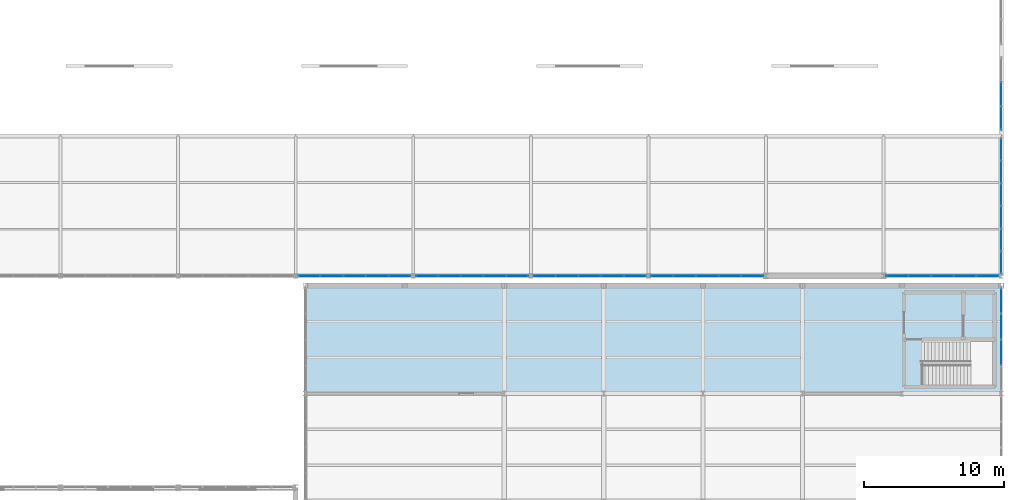
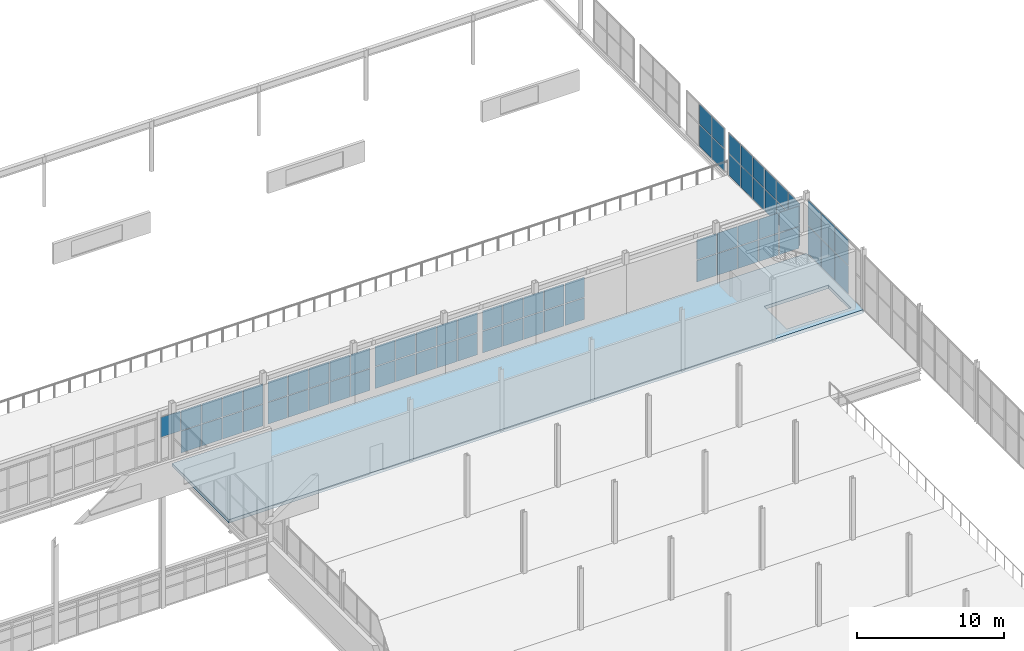
# One storey, part 190 of 218: 71 plates, 1 slab, 8 elements without a shape of their own.
"""IFC4 building model written with IfcOpenShell, lengths in metres."""

from ifc_helpers import new_model, si_unit, direction, frame, origin, origin_2d, place, context, subcontext, project, spatial, polyline, rectangle, outline, extrude, material, layer, layer_set, type_object, element, aggregate, save


model = new_model("IFC4")

# Units and contexts
model_context = context("Model", 3, precision=1e-05, world=origin(), true_north=direction((0.0, 1.0)))
body_context = subcontext(model_context, "Body", "Model", "MODEL_VIEW")
ifc_project = project(units=[si_unit("LENGTHUNIT", "METRE"), si_unit("AREAUNIT", "SQUARE_METRE"), si_unit("VOLUMEUNIT", "CUBIC_METRE"), si_unit("PLANEANGLEUNIT", "RADIAN"), si_unit("MASSUNIT", "GRAM", prefix="KILO")], contexts=[model_context])

# Site, building, storey
site_placement = place(None, origin())
site = spatial("IfcSite", under=ifc_project, at=site_placement, CompositionType="ELEMENT")
building_placement = place(site_placement, origin())
building = spatial("IfcBuilding", under=site, at=building_placement, Name="Kazenagashi Tramway Depot", CompositionType="ELEMENT")
storey_placement = place(building_placement, frame((0.0, 0.0, 6.0)))
storey = spatial("IfcBuildingStorey", under=building, at=storey_placement, Name="L02", CompositionType="ELEMENT", Elevation=6.0)

# Curtain wall, plates
ifc_material_1 = material(Name="Anodised Aluminium and Low-E Glazing", Category="aluminium")
curtain_wall_type_1 = type_object("IfcCurtainWallType", Name="CW-11", PredefinedType="USERDEFINED", material=ifc_material_1)
curtain_wall_1_placement = place(storey_placement, origin())
curtain_wall_1 = element("IfcCurtainWall", 1, at=curtain_wall_1_placement, inside=storey, type_object=curtain_wall_type_1, Name="Industrial Glazed Screen CW-11 CW-0049", ObjectType="GLAZED SCREEN", PredefinedType="USERDEFINED")
ifc_material_2 = material(Name="Tempered Laminated Low-E Glass", Category="glass")
ifc_layer_1 = layer(ifc_material_2, 0.016)
ifc_layer_set_1 = layer_set([ifc_layer_1], Name="Tempered Laminated Low-E Glass")
plate_type_1 = type_object("IfcPlateType", Name="GL-01", PredefinedType="CURTAIN_PANEL", material=ifc_layer_set_1)
plate_1_placement = place(storey_placement, frame((163.367, 70.0, 0.06), z_axis=(0.0, 0.0, 1.0), x_axis=(1.0, 0.0, 0.0)))
plate_1 = element("IfcPlate", 2, at=plate_1_placement, type_object=plate_type_1, Name="CW-11 panel 1.1", PredefinedType="CURTAIN_PANEL", context=body_context, shape_type="SweptSolid", body=[
    extrude(rectangle(XDim=1.534, YDim=0.016, at=origin_2d()), origin(), (0.0, 0.0, 1.0), 1.788),
])
plate_2_placement = place(storey_placement, frame((163.367, 70.0, 1.908), z_axis=(0.0, 0.0, 1.0), x_axis=(1.0, 0.0, 0.0)))
plate_2 = element("IfcPlate", 3, at=plate_2_placement, type_object=plate_type_1, Name="CW-11 panel 1.2", PredefinedType="CURTAIN_PANEL", context=body_context, shape_type="SweptSolid", body=[
    extrude(rectangle(XDim=1.534, YDim=0.016, at=origin_2d()), origin(), (0.0, 0.0, 1.0), 1.644),
])
plate_3_placement = place(storey_placement, frame((164.976, 70.0, 0.06), z_axis=(0.0, 0.0, 1.0), x_axis=(1.0, 0.0, 0.0)))
plate_3 = element("IfcPlate", 4, at=plate_3_placement, type_object=plate_type_1, Name="CW-11 panel 2.1", PredefinedType="CURTAIN_PANEL", context=body_context, shape_type="SweptSolid", body=[
    extrude(rectangle(XDim=1.564, YDim=0.016, at=origin_2d()), origin(), (0.0, 0.0, 1.0), 1.788),
])
plate_4_placement = place(storey_placement, frame((164.976, 70.0, 1.908), z_axis=(0.0, 0.0, 1.0), x_axis=(1.0, 0.0, 0.0)))
plate_4 = element("IfcPlate", 5, at=plate_4_placement, type_object=plate_type_1, Name="CW-11 panel 2.2", PredefinedType="CURTAIN_PANEL", context=body_context, shape_type="SweptSolid", body=[
    extrude(rectangle(XDim=1.564, YDim=0.016, at=origin_2d()), origin(), (0.0, 0.0, 1.0), 1.644),
])
plate_5_placement = place(storey_placement, frame((166.6, 70.0, 0.06), z_axis=(0.0, 0.0, 1.0), x_axis=(1.0, 0.0, 0.0)))
plate_5 = element("IfcPlate", 6, at=plate_5_placement, type_object=plate_type_1, Name="CW-11 panel 3.1", PredefinedType="CURTAIN_PANEL", context=body_context, shape_type="SweptSolid", body=[
    extrude(rectangle(XDim=1.564, YDim=0.016, at=origin_2d()), origin(), (0.0, 0.0, 1.0), 1.788),
])
plate_6_placement = place(storey_placement, frame((166.6, 70.0, 1.908), z_axis=(0.0, 0.0, 1.0), x_axis=(1.0, 0.0, 0.0)))
plate_6 = element("IfcPlate", 7, at=plate_6_placement, type_object=plate_type_1, Name="CW-11 panel 3.2", PredefinedType="CURTAIN_PANEL", context=body_context, shape_type="SweptSolid", body=[
    extrude(rectangle(XDim=1.564, YDim=0.016, at=origin_2d()), origin(), (0.0, 0.0, 1.0), 1.644),
])
plate_7_placement = place(storey_placement, frame((168.224, 70.0, 0.06), z_axis=(0.0, 0.0, 1.0), x_axis=(1.0, 0.0, 0.0)))
plate_7 = element("IfcPlate", 8, at=plate_7_placement, type_object=plate_type_1, Name="CW-11 panel 4.1", PredefinedType="CURTAIN_PANEL", context=body_context, shape_type="SweptSolid", body=[
    extrude(rectangle(XDim=1.564, YDim=0.016, at=origin_2d()), origin(), (0.0, 0.0, 1.0), 1.788),
])
plate_8_placement = place(storey_placement, frame((168.224, 70.0, 1.908), z_axis=(0.0, 0.0, 1.0), x_axis=(1.0, 0.0, 0.0)))
plate_8 = element("IfcPlate", 9, at=plate_8_placement, type_object=plate_type_1, Name="CW-11 panel 4.2", PredefinedType="CURTAIN_PANEL", context=body_context, shape_type="SweptSolid", body=[
    extrude(rectangle(XDim=1.564, YDim=0.016, at=origin_2d()), origin(), (0.0, 0.0, 1.0), 1.644),
])
plate_9_placement = place(storey_placement, frame((169.833, 70.0, 0.06), z_axis=(0.0, 0.0, 1.0), x_axis=(1.0, 0.0, 0.0)))
plate_9 = element("IfcPlate", 10, at=plate_9_placement, type_object=plate_type_1, Name="CW-11 panel 5.1", PredefinedType="CURTAIN_PANEL", context=body_context, shape_type="SweptSolid", body=[
    extrude(rectangle(XDim=1.534, YDim=0.016, at=origin_2d()), origin(), (0.0, 0.0, 1.0), 1.788),
])
plate_10_placement = place(storey_placement, frame((169.833, 70.0, 1.908), z_axis=(0.0, 0.0, 1.0), x_axis=(1.0, 0.0, 0.0)))
plate_10 = element("IfcPlate", 11, at=plate_10_placement, type_object=plate_type_1, Name="CW-11 panel 5.2", PredefinedType="CURTAIN_PANEL", context=body_context, shape_type="SweptSolid", body=[
    extrude(rectangle(XDim=1.534, YDim=0.016, at=origin_2d()), origin(), (0.0, 0.0, 1.0), 1.644),
])
aggregate(curtain_wall_1, [plate_1, plate_2, plate_3, plate_4, plate_5, plate_6, plate_7, plate_8, plate_9, plate_10])

curtain_wall_type_2 = type_object("IfcCurtainWallType", Name="CW-02", PredefinedType="USERDEFINED", material=ifc_material_1)
curtain_wall_2_placement = place(storey_placement, origin())
curtain_wall_2 = element("IfcCurtainWall", 12, at=curtain_wall_2_placement, inside=storey, type_object=curtain_wall_type_2, Name="Industrial Glazed Screen CW-02 CW-0002", ObjectType="GLAZED SCREEN", PredefinedType="USERDEFINED")
ifc_layer_2 = layer(ifc_material_2, 0.018)
ifc_layer_set_2 = layer_set([ifc_layer_2], Name="Tempered Laminated Low-E Glass")
plate_type_2 = type_object("IfcPlateType", Name="GL-02", PredefinedType="CURTAIN_PANEL", material=ifc_layer_set_2)
plate_11_placement = place(storey_placement, frame((196.0, 70.965, 0.06), z_axis=(0.0, 0.0, 1.0), x_axis=(0.0, 1.0, 0.0)))
plate_11 = element("IfcPlate", 13, at=plate_11_placement, type_object=plate_type_2, Name="CW-02 panel 1.1", PredefinedType="CURTAIN_PANEL", context=body_context, shape_type="SweptSolid", body=[
    extrude(rectangle(XDim=1.53, YDim=0.018, at=origin_2d()), origin(), (0.0, 0.0, 1.0), 1.788),
])
plate_12_placement = place(storey_placement, frame((196.0, 70.965, 1.908), z_axis=(0.0, 0.0, 1.0), x_axis=(0.0, 1.0, 0.0)))
plate_12 = element("IfcPlate", 14, at=plate_12_placement, type_object=plate_type_2, Name="CW-02 panel 1.2", PredefinedType="CURTAIN_PANEL", context=body_context, shape_type="SweptSolid", body=[
    extrude(rectangle(XDim=1.53, YDim=0.018, at=origin_2d()), origin(), (0.0, 0.0, 1.0), 1.644),
])
plate_13_placement = place(storey_placement, frame((196.0, 72.57, 0.06), z_axis=(0.0, 0.0, 1.0), x_axis=(0.0, 1.0, 0.0)))
plate_13 = element("IfcPlate", 15, at=plate_13_placement, type_object=plate_type_2, Name="CW-02 panel 2.1", PredefinedType="CURTAIN_PANEL", context=body_context, shape_type="SweptSolid", body=[
    extrude(rectangle(XDim=1.56, YDim=0.018, at=origin_2d()), origin(), (0.0, 0.0, 1.0), 1.788),
])
plate_14_placement = place(storey_placement, frame((196.0, 72.57, 1.908), z_axis=(0.0, 0.0, 1.0), x_axis=(0.0, 1.0, 0.0)))
plate_14 = element("IfcPlate", 16, at=plate_14_placement, type_object=plate_type_2, Name="CW-02 panel 2.2", PredefinedType="CURTAIN_PANEL", context=body_context, shape_type="SweptSolid", body=[
    extrude(rectangle(XDim=1.56, YDim=0.018, at=origin_2d()), origin(), (0.0, 0.0, 1.0), 1.644),
])
plate_15_placement = place(storey_placement, frame((196.0, 74.19, 0.06), z_axis=(0.0, 0.0, 1.0), x_axis=(0.0, 1.0, 0.0)))
plate_15 = element("IfcPlate", 17, at=plate_15_placement, type_object=plate_type_2, Name="CW-02 panel 3.1", PredefinedType="CURTAIN_PANEL", context=body_context, shape_type="SweptSolid", body=[
    extrude(rectangle(XDim=1.56, YDim=0.018, at=origin_2d()), origin(), (0.0, 0.0, 1.0), 1.788),
])
plate_16_placement = place(storey_placement, frame((196.0, 74.19, 1.908), z_axis=(0.0, 0.0, 1.0), x_axis=(0.0, 1.0, 0.0)))
plate_16 = element("IfcPlate", 18, at=plate_16_placement, type_object=plate_type_2, Name="CW-02 panel 3.2", PredefinedType="CURTAIN_PANEL", context=body_context, shape_type="SweptSolid", body=[
    extrude(rectangle(XDim=1.56, YDim=0.018, at=origin_2d()), origin(), (0.0, 0.0, 1.0), 1.644),
])
plate_17_placement = place(storey_placement, frame((196.0, 75.81, 0.06), z_axis=(0.0, 0.0, 1.0), x_axis=(0.0, 1.0, 0.0)))
plate_17 = element("IfcPlate", 19, at=plate_17_placement, type_object=plate_type_2, Name="CW-02 panel 4.1", PredefinedType="CURTAIN_PANEL", context=body_context, shape_type="SweptSolid", body=[
    extrude(rectangle(XDim=1.56, YDim=0.018, at=origin_2d()), origin(), (0.0, 0.0, 1.0), 1.788),
])
plate_18_placement = place(storey_placement, frame((196.0, 75.81, 1.908), z_axis=(0.0, 0.0, 1.0), x_axis=(0.0, 1.0, 0.0)))
plate_18 = element("IfcPlate", 20, at=plate_18_placement, type_object=plate_type_2, Name="CW-02 panel 4.2", PredefinedType="CURTAIN_PANEL", context=body_context, shape_type="SweptSolid", body=[
    extrude(rectangle(XDim=1.56, YDim=0.018, at=origin_2d()), origin(), (0.0, 0.0, 1.0), 1.644),
])
plate_19_placement = place(storey_placement, frame((196.0, 77.43, 0.06), z_axis=(0.0, 0.0, 1.0), x_axis=(0.0, 1.0, 0.0)))
plate_19 = element("IfcPlate", 21, at=plate_19_placement, type_object=plate_type_2, Name="CW-02 panel 5.1", PredefinedType="CURTAIN_PANEL", context=body_context, shape_type="SweptSolid", body=[
    extrude(rectangle(XDim=1.56, YDim=0.018, at=origin_2d()), origin(), (0.0, 0.0, 1.0), 1.788),
])
plate_20_placement = place(storey_placement, frame((196.0, 77.43, 1.908), z_axis=(0.0, 0.0, 1.0), x_axis=(0.0, 1.0, 0.0)))
plate_20 = element("IfcPlate", 22, at=plate_20_placement, type_object=plate_type_2, Name="CW-02 panel 5.2", PredefinedType="CURTAIN_PANEL", context=body_context, shape_type="SweptSolid", body=[
    extrude(rectangle(XDim=1.56, YDim=0.018, at=origin_2d()), origin(), (0.0, 0.0, 1.0), 1.644),
])
plate_21_placement = place(storey_placement, frame((196.0, 79.035, 0.06), z_axis=(0.0, 0.0, 1.0), x_axis=(0.0, 1.0, 0.0)))
plate_21 = element("IfcPlate", 23, at=plate_21_placement, type_object=plate_type_2, Name="CW-02 panel 6.1", PredefinedType="CURTAIN_PANEL", context=body_context, shape_type="SweptSolid", body=[
    extrude(rectangle(XDim=1.53, YDim=0.018, at=origin_2d()), origin(), (0.0, 0.0, 1.0), 1.788),
])
plate_22_placement = place(storey_placement, frame((196.0, 79.035, 1.908), z_axis=(0.0, 0.0, 1.0), x_axis=(0.0, 1.0, 0.0)))
plate_22 = element("IfcPlate", 24, at=plate_22_placement, type_object=plate_type_2, Name="CW-02 panel 6.2", PredefinedType="CURTAIN_PANEL", context=body_context, shape_type="SweptSolid", body=[
    extrude(rectangle(XDim=1.53, YDim=0.018, at=origin_2d()), origin(), (0.0, 0.0, 1.0), 1.644),
])
aggregate(curtain_wall_2, [plate_11, plate_12, plate_13, plate_14, plate_15, plate_16, plate_17, plate_18, plate_19, plate_20, plate_21, plate_22])

curtain_wall_type_3 = type_object("IfcCurtainWallType", Name="CW-04", PredefinedType="USERDEFINED", material=ifc_material_1)
curtain_wall_3_placement = place(storey_placement, origin())
curtain_wall_3 = element("IfcCurtainWall", 25, at=curtain_wall_3_placement, inside=storey, type_object=curtain_wall_type_3, Name="Industrial Glazed Screen CW-04 CW-0004", ObjectType="GLAZED SCREEN", PredefinedType="USERDEFINED")
ifc_layer_3 = layer(ifc_material_2, 0.022)
ifc_layer_set_3 = layer_set([ifc_layer_3], Name="Tempered Laminated Low-E Glass")
plate_type_3 = type_object("IfcPlateType", Name="GL-04", PredefinedType="CURTAIN_PANEL", material=ifc_layer_set_3)
plate_23_placement = place(storey_placement, frame((196.0, 81.281667, 0.04), z_axis=(0.0, 0.0, 1.0), x_axis=(0.0, 1.0, 0.0)))
plate_23 = element("IfcPlate", 26, at=plate_23_placement, type_object=plate_type_3, Name="CW-04 panel 1.1", PredefinedType="CURTAIN_PANEL", context=body_context, shape_type="SweptSolid", body=[
    extrude(rectangle(XDim=1.643333, YDim=0.022, at=origin_2d()), origin(), (0.0, 0.0, 1.0), 1.799),
])
plate_24_placement = place(storey_placement, frame((196.0, 81.281667, 1.899), z_axis=(0.0, 0.0, 1.0), x_axis=(0.0, 1.0, 0.0)))
plate_24 = element("IfcPlate", 27, at=plate_24_placement, type_object=plate_type_3, Name="CW-04 panel 1.2", PredefinedType="CURTAIN_PANEL", context=body_context, shape_type="SweptSolid", body=[
    extrude(rectangle(XDim=1.643333, YDim=0.022, at=origin_2d()), origin(), (0.0, 0.0, 1.0), 1.653),
])
plate_25_placement = place(storey_placement, frame((196.0, 83.0, 0.04), z_axis=(0.0, 0.0, 1.0), x_axis=(0.0, 1.0, 0.0)))
plate_25 = element("IfcPlate", 28, at=plate_25_placement, type_object=plate_type_3, Name="CW-04 panel 2.1", PredefinedType="CURTAIN_PANEL", context=body_context, shape_type="SweptSolid", body=[
    extrude(rectangle(XDim=1.673333, YDim=0.022, at=origin_2d()), origin(), (0.0, 0.0, 1.0), 1.799),
])
plate_26_placement = place(storey_placement, frame((196.0, 83.0, 1.899), z_axis=(0.0, 0.0, 1.0), x_axis=(0.0, 1.0, 0.0)))
plate_26 = element("IfcPlate", 29, at=plate_26_placement, type_object=plate_type_3, Name="CW-04 panel 2.2", PredefinedType="CURTAIN_PANEL", context=body_context, shape_type="SweptSolid", body=[
    extrude(rectangle(XDim=1.673333, YDim=0.022, at=origin_2d()), origin(), (0.0, 0.0, 1.0), 1.653),
])
aggregate(curtain_wall_3, [plate_23, plate_24, plate_25, plate_26])

curtain_wall_4_placement = place(storey_placement, origin())
curtain_wall_4 = element("IfcCurtainWall", 30, at=curtain_wall_4_placement, inside=storey, type_object=curtain_wall_type_1, Name="Industrial Glazed Screen CW-11 CW-0052", ObjectType="GLAZED SCREEN", PredefinedType="USERDEFINED")
plate_27_placement = place(storey_placement, frame((171.767, 70.0, 0.06), z_axis=(0.0, 0.0, 1.0), x_axis=(1.0, 0.0, 0.0)))
plate_27 = element("IfcPlate", 31, at=plate_27_placement, type_object=plate_type_3, Name="CW-11 panel 1.1", PredefinedType="CURTAIN_PANEL", context=body_context, shape_type="SweptSolid", body=[
    extrude(rectangle(XDim=1.534, YDim=0.022, at=origin_2d()), origin(), (0.0, 0.0, 1.0), 1.788),
])
plate_28_placement = place(storey_placement, frame((171.767, 70.0, 1.908), z_axis=(0.0, 0.0, 1.0), x_axis=(1.0, 0.0, 0.0)))
plate_28 = element("IfcPlate", 32, at=plate_28_placement, type_object=plate_type_3, Name="CW-11 panel 1.2", PredefinedType="CURTAIN_PANEL", context=body_context, shape_type="SweptSolid", body=[
    extrude(rectangle(XDim=1.534, YDim=0.022, at=origin_2d()), origin(), (0.0, 0.0, 1.0), 1.644),
])
plate_29_placement = place(storey_placement, frame((173.376, 70.0, 0.06), z_axis=(0.0, 0.0, 1.0), x_axis=(1.0, 0.0, 0.0)))
plate_29 = element("IfcPlate", 33, at=plate_29_placement, type_object=plate_type_3, Name="CW-11 panel 2.1", PredefinedType="CURTAIN_PANEL", context=body_context, shape_type="SweptSolid", body=[
    extrude(rectangle(XDim=1.564, YDim=0.022, at=origin_2d()), origin(), (0.0, 0.0, 1.0), 1.788),
])
plate_30_placement = place(storey_placement, frame((173.376, 70.0, 1.908), z_axis=(0.0, 0.0, 1.0), x_axis=(1.0, 0.0, 0.0)))
plate_30 = element("IfcPlate", 34, at=plate_30_placement, type_object=plate_type_3, Name="CW-11 panel 2.2", PredefinedType="CURTAIN_PANEL", context=body_context, shape_type="SweptSolid", body=[
    extrude(rectangle(XDim=1.564, YDim=0.022, at=origin_2d()), origin(), (0.0, 0.0, 1.0), 1.644),
])
plate_31_placement = place(storey_placement, frame((175.0, 70.0, 0.06), z_axis=(0.0, 0.0, 1.0), x_axis=(1.0, 0.0, 0.0)))
plate_31 = element("IfcPlate", 35, at=plate_31_placement, type_object=plate_type_3, Name="CW-11 panel 3.1", PredefinedType="CURTAIN_PANEL", context=body_context, shape_type="SweptSolid", body=[
    extrude(rectangle(XDim=1.564, YDim=0.022, at=origin_2d()), origin(), (0.0, 0.0, 1.0), 1.788),
])
plate_32_placement = place(storey_placement, frame((175.0, 70.0, 1.908), z_axis=(0.0, 0.0, 1.0), x_axis=(1.0, 0.0, 0.0)))
plate_32 = element("IfcPlate", 36, at=plate_32_placement, type_object=plate_type_3, Name="CW-11 panel 3.2", PredefinedType="CURTAIN_PANEL", context=body_context, shape_type="SweptSolid", body=[
    extrude(rectangle(XDim=1.564, YDim=0.022, at=origin_2d()), origin(), (0.0, 0.0, 1.0), 1.644),
])
plate_33_placement = place(storey_placement, frame((176.624, 70.0, 0.06), z_axis=(0.0, 0.0, 1.0), x_axis=(1.0, 0.0, 0.0)))
plate_33 = element("IfcPlate", 37, at=plate_33_placement, type_object=plate_type_3, Name="CW-11 panel 4.1", PredefinedType="CURTAIN_PANEL", context=body_context, shape_type="SweptSolid", body=[
    extrude(rectangle(XDim=1.564, YDim=0.022, at=origin_2d()), origin(), (0.0, 0.0, 1.0), 1.788),
])
plate_34_placement = place(storey_placement, frame((176.624, 70.0, 1.908), z_axis=(0.0, 0.0, 1.0), x_axis=(1.0, 0.0, 0.0)))
plate_34 = element("IfcPlate", 38, at=plate_34_placement, type_object=plate_type_3, Name="CW-11 panel 4.2", PredefinedType="CURTAIN_PANEL", context=body_context, shape_type="SweptSolid", body=[
    extrude(rectangle(XDim=1.564, YDim=0.022, at=origin_2d()), origin(), (0.0, 0.0, 1.0), 1.644),
])
plate_35_placement = place(storey_placement, frame((178.233, 70.0, 0.06), z_axis=(0.0, 0.0, 1.0), x_axis=(1.0, 0.0, 0.0)))
plate_35 = element("IfcPlate", 39, at=plate_35_placement, type_object=plate_type_3, Name="CW-11 panel 5.1", PredefinedType="CURTAIN_PANEL", context=body_context, shape_type="SweptSolid", body=[
    extrude(rectangle(XDim=1.534, YDim=0.022, at=origin_2d()), origin(), (0.0, 0.0, 1.0), 1.788),
])
plate_36_placement = place(storey_placement, frame((178.233, 70.0, 1.908), z_axis=(0.0, 0.0, 1.0), x_axis=(1.0, 0.0, 0.0)))
plate_36 = element("IfcPlate", 40, at=plate_36_placement, type_object=plate_type_3, Name="CW-11 panel 5.2", PredefinedType="CURTAIN_PANEL", context=body_context, shape_type="SweptSolid", body=[
    extrude(rectangle(XDim=1.534, YDim=0.022, at=origin_2d()), origin(), (0.0, 0.0, 1.0), 1.644),
])
aggregate(curtain_wall_4, [plate_27, plate_28, plate_29, plate_30, plate_31, plate_32, plate_33, plate_34, plate_35, plate_36])

curtain_wall_type_4 = type_object("IfcCurtainWallType", Name="CW-23", PredefinedType="USERDEFINED", material=ifc_material_1)
curtain_wall_5_placement = place(storey_placement, origin())
curtain_wall_5 = element("IfcCurtainWall", 41, at=curtain_wall_5_placement, inside=storey, type_object=curtain_wall_type_4, Name="Industrial Glazed Screen CW-23 CW-0133", ObjectType="GLAZED SCREEN", PredefinedType="USERDEFINED")
ifc_layer_4 = layer(ifc_material_2, 0.024)
ifc_layer_set_4 = layer_set([ifc_layer_4], Name="Tempered Laminated Low-E Glass")
plate_type_4 = type_object("IfcPlateType", Name="GL-05", PredefinedType="CURTAIN_PANEL", material=ifc_layer_set_4)
plate_37_placement = place(storey_placement, frame((196.0, 64.5225, 0.06), z_axis=(0.0, 0.0, 1.0), x_axis=(0.0, 1.0, 0.0)))
plate_37 = element("IfcPlate", 42, at=plate_37_placement, type_object=plate_type_4, Name="CW-23 panel 2.1", PredefinedType="CURTAIN_PANEL", context=body_context, shape_type="SweptSolid", body=[
    extrude(rectangle(XDim=1.795, YDim=0.024, at=origin_2d()), origin(), (0.0, 0.0, 1.0), 2.302),
])
plate_38_placement = place(storey_placement, frame((196.0, 64.5225, 2.422), z_axis=(0.0, 0.0, 1.0), x_axis=(0.0, 1.0, 0.0)))
plate_38 = element("IfcPlate", 43, at=plate_38_placement, type_object=plate_type_4, Name="CW-23 panel 2.2", PredefinedType="CURTAIN_PANEL", context=body_context, shape_type="SweptSolid", body=[
    extrude(rectangle(XDim=1.795, YDim=0.024, at=origin_2d()), origin(), (0.0, 0.0, 1.0), 2.118),
])
plate_39_placement = place(storey_placement, frame((196.0, 66.3775, 0.06), z_axis=(0.0, 0.0, 1.0), x_axis=(0.0, 1.0, 0.0)))
plate_39 = element("IfcPlate", 44, at=plate_39_placement, type_object=plate_type_4, Name="CW-23 panel 3.1", PredefinedType="CURTAIN_PANEL", context=body_context, shape_type="SweptSolid", body=[
    extrude(rectangle(XDim=1.795, YDim=0.024, at=origin_2d()), origin(), (0.0, 0.0, 1.0), 2.302),
])
plate_40_placement = place(storey_placement, frame((196.0, 66.3775, 2.422), z_axis=(0.0, 0.0, 1.0), x_axis=(0.0, 1.0, 0.0)))
plate_40 = element("IfcPlate", 45, at=plate_40_placement, type_object=plate_type_4, Name="CW-23 panel 3.2", PredefinedType="CURTAIN_PANEL", context=body_context, shape_type="SweptSolid", body=[
    extrude(rectangle(XDim=1.795, YDim=0.024, at=origin_2d()), origin(), (0.0, 0.0, 1.0), 2.118),
])
plate_41_placement = place(storey_placement, frame((196.0, 68.2175, 0.06), z_axis=(0.0, 0.0, 1.0), x_axis=(0.0, 1.0, 0.0)))
plate_41 = element("IfcPlate", 46, at=plate_41_placement, type_object=plate_type_4, Name="CW-23 panel 4.1", PredefinedType="CURTAIN_PANEL", context=body_context, shape_type="SweptSolid", body=[
    extrude(rectangle(XDim=1.765, YDim=0.024, at=origin_2d()), origin(), (0.0, 0.0, 1.0), 2.302),
])
plate_42_placement = place(storey_placement, frame((196.0, 68.2175, 2.422), z_axis=(0.0, 0.0, 1.0), x_axis=(0.0, 1.0, 0.0)))
plate_42 = element("IfcPlate", 47, at=plate_42_placement, type_object=plate_type_4, Name="CW-23 panel 4.2", PredefinedType="CURTAIN_PANEL", context=body_context, shape_type="SweptSolid", body=[
    extrude(rectangle(XDim=1.765, YDim=0.024, at=origin_2d()), origin(), (0.0, 0.0, 1.0), 2.118),
])
aggregate(curtain_wall_5, [plate_37, plate_38, plate_39, plate_40, plate_41, plate_42])

curtain_wall_6_placement = place(storey_placement, origin())
curtain_wall_6 = element("IfcCurtainWall", 48, at=curtain_wall_6_placement, inside=storey, type_object=curtain_wall_type_1, Name="Industrial Glazed Screen CW-11 CW-0055", ObjectType="GLAZED SCREEN", PredefinedType="USERDEFINED")
ifc_layer_5 = layer(ifc_material_2, 0.028)
ifc_layer_set_5 = layer_set([ifc_layer_5], Name="Tempered Laminated Low-E Glass")
plate_type_5 = type_object("IfcPlateType", Name="GL-07", PredefinedType="CURTAIN_PANEL", material=ifc_layer_set_5)
plate_43_placement = place(storey_placement, frame((188.567, 70.0, 0.06), z_axis=(0.0, 0.0, 1.0), x_axis=(1.0, 0.0, 0.0)))
plate_43 = element("IfcPlate", 49, at=plate_43_placement, type_object=plate_type_5, Name="CW-11 panel 1.1", PredefinedType="CURTAIN_PANEL", context=body_context, shape_type="SweptSolid", body=[
    extrude(rectangle(XDim=1.534, YDim=0.028, at=origin_2d()), origin(), (0.0, 0.0, 1.0), 1.788),
])
plate_44_placement = place(storey_placement, frame((188.567, 70.0, 1.908), z_axis=(0.0, 0.0, 1.0), x_axis=(1.0, 0.0, 0.0)))
plate_44 = element("IfcPlate", 50, at=plate_44_placement, type_object=plate_type_5, Name="CW-11 panel 1.2", PredefinedType="CURTAIN_PANEL", context=body_context, shape_type="SweptSolid", body=[
    extrude(rectangle(XDim=1.534, YDim=0.028, at=origin_2d()), origin(), (0.0, 0.0, 1.0), 1.644),
])
plate_45_placement = place(storey_placement, frame((190.176, 70.0, 0.06), z_axis=(0.0, 0.0, 1.0), x_axis=(1.0, 0.0, 0.0)))
plate_45 = element("IfcPlate", 51, at=plate_45_placement, type_object=plate_type_5, Name="CW-11 panel 2.1", PredefinedType="CURTAIN_PANEL", context=body_context, shape_type="SweptSolid", body=[
    extrude(rectangle(XDim=1.564, YDim=0.028, at=origin_2d()), origin(), (0.0, 0.0, 1.0), 1.788),
])
plate_46_placement = place(storey_placement, frame((190.176, 70.0, 1.908), z_axis=(0.0, 0.0, 1.0), x_axis=(1.0, 0.0, 0.0)))
plate_46 = element("IfcPlate", 52, at=plate_46_placement, type_object=plate_type_5, Name="CW-11 panel 2.2", PredefinedType="CURTAIN_PANEL", context=body_context, shape_type="SweptSolid", body=[
    extrude(rectangle(XDim=1.564, YDim=0.028, at=origin_2d()), origin(), (0.0, 0.0, 1.0), 1.644),
])
plate_47_placement = place(storey_placement, frame((191.8, 70.0, 0.06), z_axis=(0.0, 0.0, 1.0), x_axis=(1.0, 0.0, 0.0)))
plate_47 = element("IfcPlate", 53, at=plate_47_placement, type_object=plate_type_5, Name="CW-11 panel 3.1", PredefinedType="CURTAIN_PANEL", context=body_context, shape_type="SweptSolid", body=[
    extrude(rectangle(XDim=1.564, YDim=0.028, at=origin_2d()), origin(), (0.0, 0.0, 1.0), 1.788),
])
plate_48_placement = place(storey_placement, frame((191.8, 70.0, 1.908), z_axis=(0.0, 0.0, 1.0), x_axis=(1.0, 0.0, 0.0)))
plate_48 = element("IfcPlate", 54, at=plate_48_placement, type_object=plate_type_5, Name="CW-11 panel 3.2", PredefinedType="CURTAIN_PANEL", context=body_context, shape_type="SweptSolid", body=[
    extrude(rectangle(XDim=1.564, YDim=0.028, at=origin_2d()), origin(), (0.0, 0.0, 1.0), 1.644),
])
plate_49_placement = place(storey_placement, frame((193.424, 70.0, 0.06), z_axis=(0.0, 0.0, 1.0), x_axis=(1.0, 0.0, 0.0)))
plate_49 = element("IfcPlate", 55, at=plate_49_placement, type_object=plate_type_5, Name="CW-11 panel 4.1", PredefinedType="CURTAIN_PANEL", context=body_context, shape_type="SweptSolid", body=[
    extrude(rectangle(XDim=1.564, YDim=0.028, at=origin_2d()), origin(), (0.0, 0.0, 1.0), 1.788),
])
plate_50_placement = place(storey_placement, frame((193.424, 70.0, 1.908), z_axis=(0.0, 0.0, 1.0), x_axis=(1.0, 0.0, 0.0)))
plate_50 = element("IfcPlate", 56, at=plate_50_placement, type_object=plate_type_5, Name="CW-11 panel 4.2", PredefinedType="CURTAIN_PANEL", context=body_context, shape_type="SweptSolid", body=[
    extrude(rectangle(XDim=1.564, YDim=0.028, at=origin_2d()), origin(), (0.0, 0.0, 1.0), 1.644),
])
plate_51_placement = place(storey_placement, frame((195.033, 70.0, 0.06), z_axis=(0.0, 0.0, 1.0), x_axis=(1.0, 0.0, 0.0)))
plate_51 = element("IfcPlate", 57, at=plate_51_placement, type_object=plate_type_5, Name="CW-11 panel 5.1", PredefinedType="CURTAIN_PANEL", context=body_context, shape_type="SweptSolid", body=[
    extrude(rectangle(XDim=1.534, YDim=0.028, at=origin_2d()), origin(), (0.0, 0.0, 1.0), 1.788),
])
plate_52_placement = place(storey_placement, frame((195.033, 70.0, 1.908), z_axis=(0.0, 0.0, 1.0), x_axis=(1.0, 0.0, 0.0)))
plate_52 = element("IfcPlate", 58, at=plate_52_placement, type_object=plate_type_5, Name="CW-11 panel 5.2", PredefinedType="CURTAIN_PANEL", context=body_context, shape_type="SweptSolid", body=[
    extrude(rectangle(XDim=1.534, YDim=0.028, at=origin_2d()), origin(), (0.0, 0.0, 1.0), 1.644),
])
aggregate(curtain_wall_6, [plate_43, plate_44, plate_45, plate_46, plate_47, plate_48, plate_49, plate_50, plate_51, plate_52])

curtain_wall_7_placement = place(storey_placement, origin())
curtain_wall_7 = element("IfcCurtainWall", 59, at=curtain_wall_7_placement, inside=storey, type_object=curtain_wall_type_1, Name="Industrial Glazed Screen CW-11 CW-0043", ObjectType="GLAZED SCREEN", PredefinedType="USERDEFINED")
ifc_layer_6 = layer(ifc_material_2, 0.036)
ifc_layer_set_6 = layer_set([ifc_layer_6], Name="Tempered Laminated Low-E Glass")
plate_type_6 = type_object("IfcPlateType", Name="GL-11", PredefinedType="CURTAIN_PANEL", material=ifc_layer_set_6)
plate_53_placement = place(storey_placement, frame((146.567, 70.0, 1.908), z_axis=(0.0, 0.0, 1.0), x_axis=(1.0, 0.0, 0.0)))
plate_53 = element("IfcPlate", 60, at=plate_53_placement, type_object=plate_type_6, Name="CW-11 panel 1.2", PredefinedType="CURTAIN_PANEL", context=body_context, shape_type="SweptSolid", body=[
    extrude(rectangle(XDim=1.534, YDim=0.036, at=origin_2d()), origin(), (0.0, 0.0, 1.0), 1.644),
])
plate_54_placement = place(storey_placement, frame((148.176, 70.0, 0.06), z_axis=(0.0, 0.0, 1.0), x_axis=(1.0, 0.0, 0.0)))
plate_54 = element("IfcPlate", 61, at=plate_54_placement, type_object=plate_type_6, Name="CW-11 panel 2.1", PredefinedType="CURTAIN_PANEL", context=body_context, shape_type="SweptSolid", body=[
    extrude(rectangle(XDim=1.564, YDim=0.036, at=origin_2d()), origin(), (0.0, 0.0, 1.0), 1.788),
])
plate_55_placement = place(storey_placement, frame((148.176, 70.0, 1.908), z_axis=(0.0, 0.0, 1.0), x_axis=(1.0, 0.0, 0.0)))
plate_55 = element("IfcPlate", 62, at=plate_55_placement, type_object=plate_type_6, Name="CW-11 panel 2.2", PredefinedType="CURTAIN_PANEL", context=body_context, shape_type="SweptSolid", body=[
    extrude(rectangle(XDim=1.564, YDim=0.036, at=origin_2d()), origin(), (0.0, 0.0, 1.0), 1.644),
])
plate_56_placement = place(storey_placement, frame((149.8, 70.0, 0.06), z_axis=(0.0, 0.0, 1.0), x_axis=(1.0, 0.0, 0.0)))
plate_56 = element("IfcPlate", 63, at=plate_56_placement, type_object=plate_type_6, Name="CW-11 panel 3.1", PredefinedType="CURTAIN_PANEL", context=body_context, shape_type="SweptSolid", body=[
    extrude(rectangle(XDim=1.564, YDim=0.036, at=origin_2d()), origin(), (0.0, 0.0, 1.0), 1.788),
])
plate_57_placement = place(storey_placement, frame((149.8, 70.0, 1.908), z_axis=(0.0, 0.0, 1.0), x_axis=(1.0, 0.0, 0.0)))
plate_57 = element("IfcPlate", 64, at=plate_57_placement, type_object=plate_type_6, Name="CW-11 panel 3.2", PredefinedType="CURTAIN_PANEL", context=body_context, shape_type="SweptSolid", body=[
    extrude(rectangle(XDim=1.564, YDim=0.036, at=origin_2d()), origin(), (0.0, 0.0, 1.0), 1.644),
])
plate_58_placement = place(storey_placement, frame((151.424, 70.0, 0.06), z_axis=(0.0, 0.0, 1.0), x_axis=(1.0, 0.0, 0.0)))
plate_58 = element("IfcPlate", 65, at=plate_58_placement, type_object=plate_type_6, Name="CW-11 panel 4.1", PredefinedType="CURTAIN_PANEL", context=body_context, shape_type="SweptSolid", body=[
    extrude(rectangle(XDim=1.564, YDim=0.036, at=origin_2d()), origin(), (0.0, 0.0, 1.0), 1.788),
])
plate_59_placement = place(storey_placement, frame((151.424, 70.0, 1.908), z_axis=(0.0, 0.0, 1.0), x_axis=(1.0, 0.0, 0.0)))
plate_59 = element("IfcPlate", 66, at=plate_59_placement, type_object=plate_type_6, Name="CW-11 panel 4.2", PredefinedType="CURTAIN_PANEL", context=body_context, shape_type="SweptSolid", body=[
    extrude(rectangle(XDim=1.564, YDim=0.036, at=origin_2d()), origin(), (0.0, 0.0, 1.0), 1.644),
])
plate_60_placement = place(storey_placement, frame((153.033, 70.0, 0.06), z_axis=(0.0, 0.0, 1.0), x_axis=(1.0, 0.0, 0.0)))
plate_60 = element("IfcPlate", 67, at=plate_60_placement, type_object=plate_type_6, Name="CW-11 panel 5.1", PredefinedType="CURTAIN_PANEL", context=body_context, shape_type="SweptSolid", body=[
    extrude(rectangle(XDim=1.534, YDim=0.036, at=origin_2d()), origin(), (0.0, 0.0, 1.0), 1.788),
])
plate_61_placement = place(storey_placement, frame((153.033, 70.0, 1.908), z_axis=(0.0, 0.0, 1.0), x_axis=(1.0, 0.0, 0.0)))
plate_61 = element("IfcPlate", 68, at=plate_61_placement, type_object=plate_type_6, Name="CW-11 panel 5.2", PredefinedType="CURTAIN_PANEL", context=body_context, shape_type="SweptSolid", body=[
    extrude(rectangle(XDim=1.534, YDim=0.036, at=origin_2d()), origin(), (0.0, 0.0, 1.0), 1.644),
])
aggregate(curtain_wall_7, [plate_53, plate_54, plate_55, plate_56, plate_57, plate_58, plate_59, plate_60, plate_61])

curtain_wall_8_placement = place(storey_placement, origin())
curtain_wall_8 = element("IfcCurtainWall", 69, at=curtain_wall_8_placement, inside=storey, type_object=curtain_wall_type_1, Name="Industrial Glazed Screen CW-11 CW-0046", ObjectType="GLAZED SCREEN", PredefinedType="USERDEFINED")
ifc_layer_7 = layer(ifc_material_2, 0.042)
ifc_layer_set_7 = layer_set([ifc_layer_7], Name="Tempered Laminated Low-E Glass")
plate_type_7 = type_object("IfcPlateType", Name="GL-14", PredefinedType="CURTAIN_PANEL", material=ifc_layer_set_7)
plate_62_placement = place(storey_placement, frame((154.967, 70.0, 0.06), z_axis=(0.0, 0.0, 1.0), x_axis=(1.0, 0.0, 0.0)))
plate_62 = element("IfcPlate", 70, at=plate_62_placement, type_object=plate_type_7, Name="CW-11 panel 1.1", PredefinedType="CURTAIN_PANEL", context=body_context, shape_type="SweptSolid", body=[
    extrude(rectangle(XDim=1.534, YDim=0.042, at=origin_2d()), origin(), (0.0, 0.0, 1.0), 1.788),
])
plate_63_placement = place(storey_placement, frame((154.967, 70.0, 1.908), z_axis=(0.0, 0.0, 1.0), x_axis=(1.0, 0.0, 0.0)))
plate_63 = element("IfcPlate", 71, at=plate_63_placement, type_object=plate_type_7, Name="CW-11 panel 1.2", PredefinedType="CURTAIN_PANEL", context=body_context, shape_type="SweptSolid", body=[
    extrude(rectangle(XDim=1.534, YDim=0.042, at=origin_2d()), origin(), (0.0, 0.0, 1.0), 1.644),
])
plate_64_placement = place(storey_placement, frame((156.576, 70.0, 0.06), z_axis=(0.0, 0.0, 1.0), x_axis=(1.0, 0.0, 0.0)))
plate_64 = element("IfcPlate", 72, at=plate_64_placement, type_object=plate_type_7, Name="CW-11 panel 2.1", PredefinedType="CURTAIN_PANEL", context=body_context, shape_type="SweptSolid", body=[
    extrude(rectangle(XDim=1.564, YDim=0.042, at=origin_2d()), origin(), (0.0, 0.0, 1.0), 1.788),
])
plate_65_placement = place(storey_placement, frame((156.576, 70.0, 1.908), z_axis=(0.0, 0.0, 1.0), x_axis=(1.0, 0.0, 0.0)))
plate_65 = element("IfcPlate", 73, at=plate_65_placement, type_object=plate_type_7, Name="CW-11 panel 2.2", PredefinedType="CURTAIN_PANEL", context=body_context, shape_type="SweptSolid", body=[
    extrude(rectangle(XDim=1.564, YDim=0.042, at=origin_2d()), origin(), (0.0, 0.0, 1.0), 1.644),
])
plate_66_placement = place(storey_placement, frame((158.2, 70.0, 0.06), z_axis=(0.0, 0.0, 1.0), x_axis=(1.0, 0.0, 0.0)))
plate_66 = element("IfcPlate", 74, at=plate_66_placement, type_object=plate_type_7, Name="CW-11 panel 3.1", PredefinedType="CURTAIN_PANEL", context=body_context, shape_type="SweptSolid", body=[
    extrude(rectangle(XDim=1.564, YDim=0.042, at=origin_2d()), origin(), (0.0, 0.0, 1.0), 1.788),
])
plate_67_placement = place(storey_placement, frame((158.2, 70.0, 1.908), z_axis=(0.0, 0.0, 1.0), x_axis=(1.0, 0.0, 0.0)))
plate_67 = element("IfcPlate", 75, at=plate_67_placement, type_object=plate_type_7, Name="CW-11 panel 3.2", PredefinedType="CURTAIN_PANEL", context=body_context, shape_type="SweptSolid", body=[
    extrude(rectangle(XDim=1.564, YDim=0.042, at=origin_2d()), origin(), (0.0, 0.0, 1.0), 1.644),
])
plate_68_placement = place(storey_placement, frame((159.824, 70.0, 0.06), z_axis=(0.0, 0.0, 1.0), x_axis=(1.0, 0.0, 0.0)))
plate_68 = element("IfcPlate", 76, at=plate_68_placement, type_object=plate_type_7, Name="CW-11 panel 4.1", PredefinedType="CURTAIN_PANEL", context=body_context, shape_type="SweptSolid", body=[
    extrude(rectangle(XDim=1.564, YDim=0.042, at=origin_2d()), origin(), (0.0, 0.0, 1.0), 1.788),
])
plate_69_placement = place(storey_placement, frame((159.824, 70.0, 1.908), z_axis=(0.0, 0.0, 1.0), x_axis=(1.0, 0.0, 0.0)))
plate_69 = element("IfcPlate", 77, at=plate_69_placement, type_object=plate_type_7, Name="CW-11 panel 4.2", PredefinedType="CURTAIN_PANEL", context=body_context, shape_type="SweptSolid", body=[
    extrude(rectangle(XDim=1.564, YDim=0.042, at=origin_2d()), origin(), (0.0, 0.0, 1.0), 1.644),
])
plate_70_placement = place(storey_placement, frame((161.433, 70.0, 0.06), z_axis=(0.0, 0.0, 1.0), x_axis=(1.0, 0.0, 0.0)))
plate_70 = element("IfcPlate", 78, at=plate_70_placement, type_object=plate_type_7, Name="CW-11 panel 5.1", PredefinedType="CURTAIN_PANEL", context=body_context, shape_type="SweptSolid", body=[
    extrude(rectangle(XDim=1.534, YDim=0.042, at=origin_2d()), origin(), (0.0, 0.0, 1.0), 1.788),
])
plate_71_placement = place(storey_placement, frame((161.433, 70.0, 1.908), z_axis=(0.0, 0.0, 1.0), x_axis=(1.0, 0.0, 0.0)))
plate_71 = element("IfcPlate", 79, at=plate_71_placement, type_object=plate_type_7, Name="CW-11 panel 5.2", PredefinedType="CURTAIN_PANEL", context=body_context, shape_type="SweptSolid", body=[
    extrude(rectangle(XDim=1.534, YDim=0.042, at=origin_2d()), origin(), (0.0, 0.0, 1.0), 1.644),
])
aggregate(curtain_wall_8, [plate_62, plate_63, plate_64, plate_65, plate_66, plate_67, plate_68, plate_69, plate_70, plate_71])

# Slab
ifc_material_3 = material(Name="Concrete Fc36", Category="concrete")
ifc_layer_8 = layer(ifc_material_3, 0.28)
ifc_layer_set_8 = layer_set([ifc_layer_8], Name="Concrete Fc36")
slab_type = type_object("IfcSlabType", Name="SL-10", PredefinedType="FLOOR", material=ifc_layer_set_8)
slab_placement = place(storey_placement, frame((0.0, 0.0, -0.28)))
element("IfcSlab", 80, at=slab_placement, inside=storey, type_object=slab_type, Name="EV Bus Charging Deck Slab 9 SLAB-071", PredefinedType="FLOOR", context=body_context, shape_type="SweptSolid", body=[
    extrude(outline(polyline([(146.3, 69.3), (196.0, 69.3), (196.0, 61.6), (146.3, 61.6), (146.3, 69.3)]), holes=[polyline([(195.39, 65.3), (190.36, 65.3), (190.36, 62.21), (195.39, 62.21), (195.39, 65.3)])]), origin(), (0.0, 0.0, 1.0), 0.28),
])

save(model, "model.ifc")
